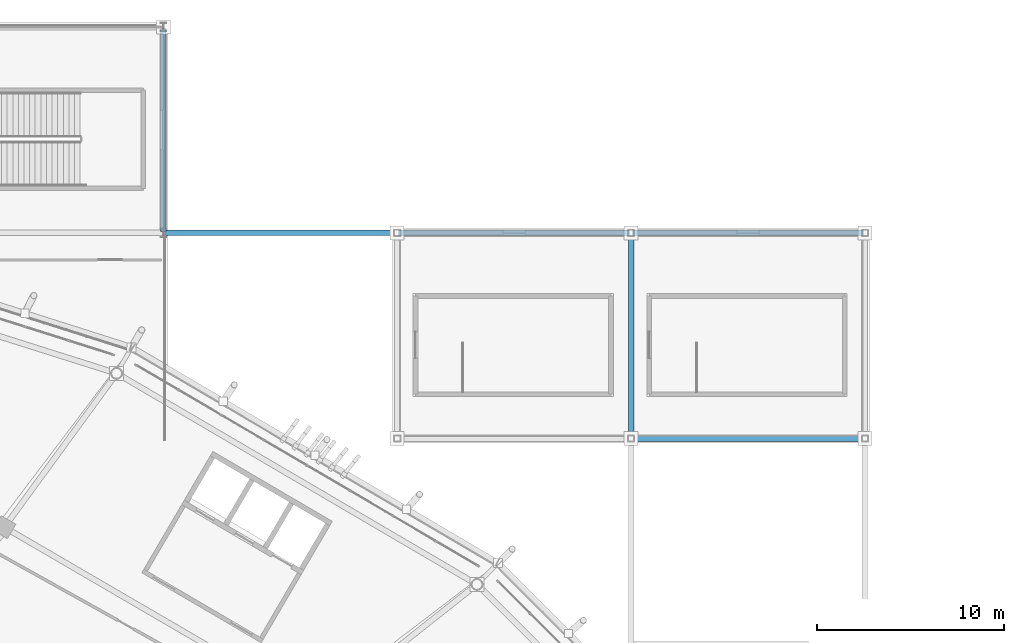
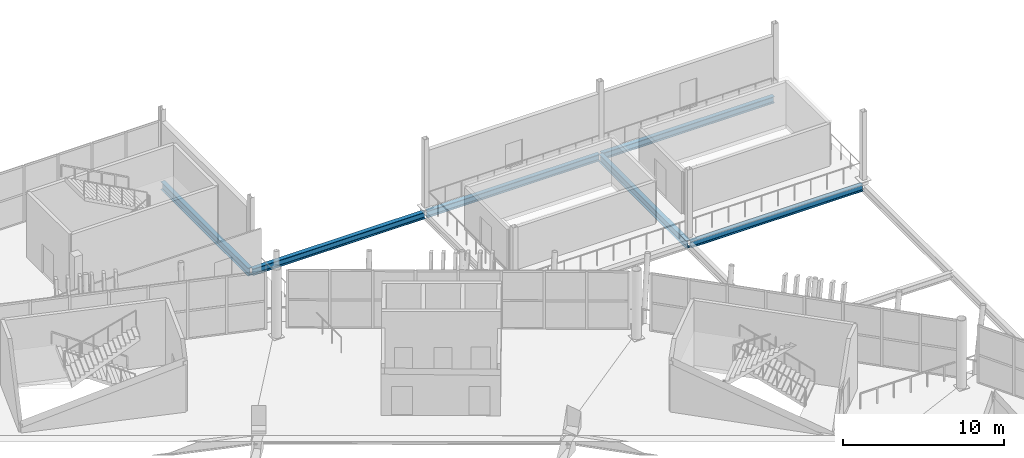
# One storey, part 85 of 178: 6 beams.
"""IFC4 building model written with IfcOpenShell, lengths in metres."""

from ifc_helpers import new_model, si_unit, direction, frame, origin, origin_2d, place, context, subcontext, project, spatial, i_section, extrude, material, material_profile, profile_set, type_object, element, save


model = new_model("IFC4")

# Units and contexts
model_context = context("Model", 3, precision=1e-05, world=origin(), true_north=direction((0.0, 1.0)))
body_context = subcontext(model_context, "Body", "Model", "MODEL_VIEW")
ifc_project = project(units=[si_unit("LENGTHUNIT", "METRE"), si_unit("AREAUNIT", "SQUARE_METRE"), si_unit("VOLUMEUNIT", "CUBIC_METRE"), si_unit("PLANEANGLEUNIT", "RADIAN"), si_unit("MASSUNIT", "GRAM", prefix="KILO")], contexts=[model_context])

# Site, building, storey
site_placement = place(None, origin())
site = spatial("IfcSite", under=ifc_project, at=site_placement, CompositionType="ELEMENT")
building_placement = place(site_placement, origin())
building = spatial("IfcBuilding", under=site, at=building_placement, Name="Zlatoyarsky Gate Stadium", CompositionType="ELEMENT")
storey_placement = place(building_placement, frame((0.0, 0.0, 5.39990234375)))
storey = spatial("IfcBuildingStorey", under=building, at=storey_placement, Name="L01", CompositionType="ELEMENT", Elevation=5.39990234375)

# Beams
ifc_material = material(Name="Steel S355", Category="steel")
ifc_material_profile_1 = material_profile(ifc_material, i_section(OverallWidth=0.300048828125, OverallDepth=0.5, WebThickness=0.014404296875, FlangeThickness=0.028076171875, FilletRadius=0.027099609375, at=origin_2d()), Name="HEB 500")
ifc_profile_set_1 = profile_set([ifc_material_profile_1], Name="Steel S355")
beam_type_1 = type_object("IfcBeamType", Name="STEEL PRIMARY GIRDER HEB 500", PredefinedType="BEAM", material=ifc_profile_set_1)
for number, where, z_axis, x_axis, name in (
    (1, (160.080078125, 149.0, -0.5498046875), (1.0, 0.0, 0.0), (0.0, 1.0, 0.0), "Beam G-HEB500 BM-L01-WGX-14-P"),
    (2, (172.580078125, 149.0, -0.5498046875), (1.0, 0.0, 0.0), (0.0, 1.0, 0.0), "Beam G-HEB500 BM-L01-WGX-15-P"),
    (3, (185.080078125, 138.0, -0.5498046875), (1.0, 0.0, 0.0), (0.0, 1.0, 0.0), "Beam G-HEB500 BM-L01-WGX-16-N"),
    (4, (185.080078125, 149.0, -0.5498046875), (1.0, 0.0, 0.0), (0.0, 1.0, 0.0), "Beam G-HEB500 BM-L01-WGX-16-P"),
):
    element("IfcBeam", number, at=place(storey_placement, frame(where, z_axis=z_axis, x_axis=x_axis)), inside=storey, type_object=beam_type_1, Name=name, PredefinedType="BEAM", context=body_context, shape_type="SweptSolid", body=[
        extrude(i_section(OverallWidth=0.300048828125, OverallDepth=0.5, WebThickness=0.014404296875, FlangeThickness=0.028076171875, FilletRadius=0.027099609375, at=origin_2d()), origin(), (0.0, 0.0, 1.0), 12.33984375),
    ])
ifc_material_profile_2 = material_profile(ifc_material, i_section(OverallWidth=0.300048828125, OverallDepth=0.60009765625, WebThickness=0.015380859375, FlangeThickness=0.030029296875, FilletRadius=0.027099609375, at=origin_2d()), Name="HEB 600")
ifc_profile_set_2 = profile_set([ifc_material_profile_2], Name="Steel S355")
beam_type_2 = type_object("IfcBeamType", Name="STEEL PRIMARY GIRDER HEB 600", PredefinedType="BEAM", material=ifc_profile_set_2)
for number, where, z_axis, x_axis, name in (
    (5, (160.0, 149.080078125, -0.599853515625), (0.0, 1.0, 0.0), (-1.0, 0.0, 0.0), "Beam G-HEB600 BM-L01-WGY-14-P"),
    (6, (185.0, 138.080078125, -0.599853515625), (0.0, 1.0, 0.0), (-1.0, 0.0, 0.0), "Beam G-HEB600 BM-L01-WGY-16-N"),
):
    element("IfcBeam", number, at=place(storey_placement, frame(where, z_axis=z_axis, x_axis=x_axis)), inside=storey, type_object=beam_type_2, Name=name, PredefinedType="BEAM", context=body_context, shape_type="SweptSolid", body=[
        extrude(i_section(OverallWidth=0.300048828125, OverallDepth=0.60009765625, WebThickness=0.015380859375, FlangeThickness=0.030029296875, FilletRadius=0.027099609375, at=origin_2d()), origin(), (0.0, 0.0, 1.0), 10.83984375),
    ])

save(model, "model.ifc")
